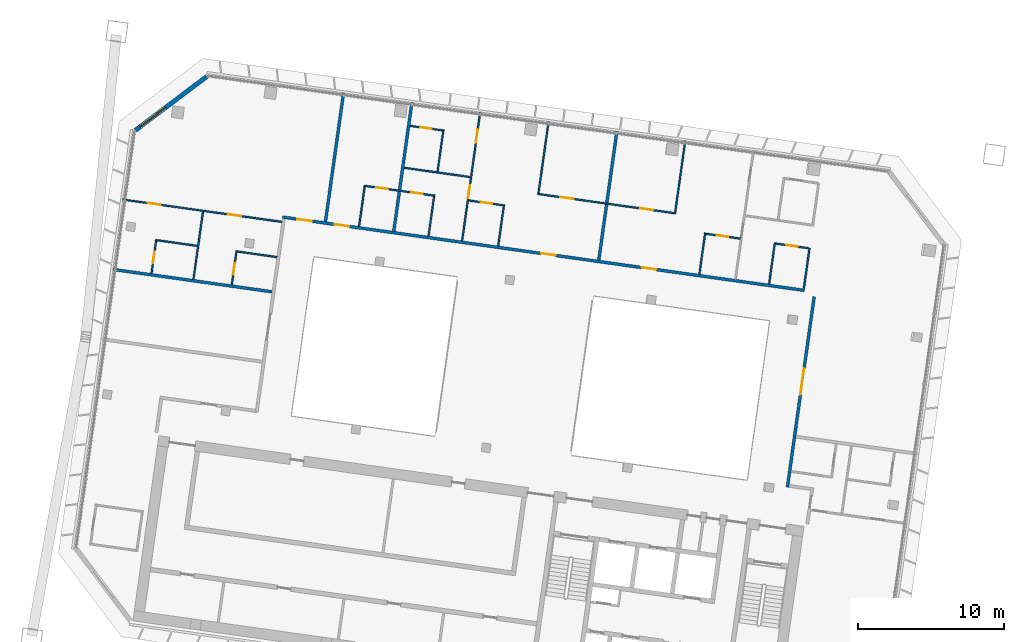
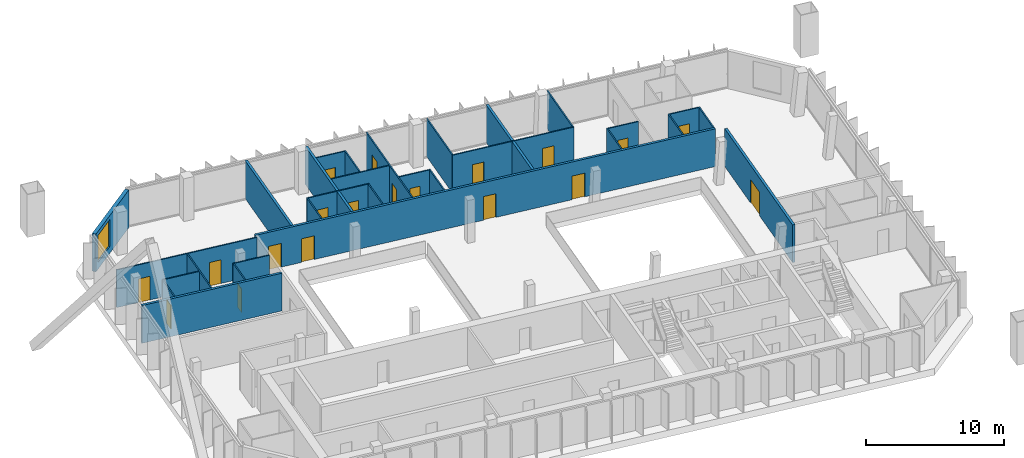
# One storey, part 15 of 23: 30 walls, 19 doors, 1 window, 20 openings.
"""IFC4 building model written with IfcOpenShell, lengths in metres."""

from ifc_helpers import new_model, si_unit, direction, frame, frame_2d, origin, place, context, subcontext, project, spatial, rectangle, extrude, material, layer, layer_set, type_object, element, fill, save


model = new_model("IFC4")

# Units and contexts
model_context = context("Model", 3, precision=1e-05, world=origin(), true_north=direction((0.0, 1.0)))
body_context = subcontext(model_context, "Body", "Model", "MODEL_VIEW")
ifc_project = project(units=[si_unit("LENGTHUNIT", "METRE"), si_unit("AREAUNIT", "SQUARE_METRE"), si_unit("VOLUMEUNIT", "CUBIC_METRE"), si_unit("PLANEANGLEUNIT", "RADIAN"), si_unit("MASSUNIT", "GRAM", prefix="KILO")], contexts=[model_context])

# Site, building, storey
site_placement = place(None, origin())
site = spatial("IfcSite", under=ifc_project, at=site_placement, CompositionType="ELEMENT")
building_placement = place(site_placement, origin())
building = spatial("IfcBuilding", under=site, at=building_placement, Name="Mirante Cascada Hotel Towers", CompositionType="ELEMENT")
storey_placement = place(building_placement, frame((0.0, 0.0, 195.4)))
storey = spatial("IfcBuildingStorey", under=building, at=storey_placement, Name="L46", CompositionType="ELEMENT", Elevation=195.4)

# Wall
ifc_material_1 = material(Name="Fire-rated plasterboard on metal studs")
ifc_layer_1 = layer(ifc_material_1, 0.2)
ifc_layer_set_1 = layer_set([ifc_layer_1], Name="Compartment wall 200 EI 120")
wall_type_1 = type_object("IfcWallType", Name="Compartment wall 200 EI 120", PredefinedType="PARTITIONING", material=ifc_layer_set_1)
wall_1_placement = place(storey_placement, frame((-71.9089, 8.7707, 0.0), z_axis=(0.0, 0.0, 1.0), x_axis=(-0.990268, 0.1391733, 0.0)))
element("IfcWall", 1, at=wall_1_placement, inside=storey, type_object=wall_type_1, Name="Wall 1-L46-11", PredefinedType="PARTITIONING", context=body_context, shape_type="SweptSolid", body=[
    extrude(rectangle(XDim=11.0, YDim=0.2, at=frame_2d((5.5, 0.0))), origin(), (0.0, 0.0, 1.0), 3.35),
])

# Wall, openings, doors
wall_2_placement = place(storey_placement, frame((-35.4697, 8.867, 0.0), z_axis=(0.0, 0.0, 1.0), x_axis=(-0.9902682, 0.1391722, 0.0)))
wall_2 = element("IfcWall", 2, at=wall_2_placement, inside=storey, type_object=wall_type_1, Name="Wall 1-L46-15", PredefinedType="PARTITIONING", context=body_context, shape_type="SweptSolid", body=[
    extrude(rectangle(XDim=36.0711, YDim=0.2, at=frame_2d((18.0356, 0.0))), origin(), (0.0, 0.0, 1.0), 3.35),
])
opening_1_placement = place(wall_2_placement, frame((10.2463, 0.0, 0.0)))
opening_1 = element("IfcOpeningElement", 3, at=opening_1_placement, cuts=wall_2, Name="Opening D1-L46-06", PredefinedType="OPENING", context=body_context, shape_type="SweptSolid", body=[
    extrude(rectangle(XDim=1.0, YDim=2.1, at=frame_2d((0.5, 1.05))), frame((0.0, 0.1, 0.0), z_axis=(0.0, -1.0, 0.0), x_axis=(1.0, 0.0, 0.0)), (0.0, 0.0, 1.0), 0.2),
])
opening_2_placement = place(wall_2_placement, frame((17.201, 0.0, 0.0)))
opening_2 = element("IfcOpeningElement", 4, at=opening_2_placement, cuts=wall_2, Name="Opening D1-L46-07", PredefinedType="OPENING", context=body_context, shape_type="SweptSolid", body=[
    extrude(rectangle(XDim=1.0, YDim=2.1, at=frame_2d((0.5, 1.05))), frame((0.0, 0.1, 0.0), z_axis=(0.0, -1.0, 0.0), x_axis=(1.0, 0.0, 0.0)), (0.0, 0.0, 1.0), 0.2),
])
opening_3_placement = place(wall_2_placement, frame((31.4597, 0.0, 0.0)))
opening_3 = element("IfcOpeningElement", 5, at=opening_3_placement, cuts=wall_2, Name="Opening D1-L46-08", PredefinedType="OPENING", context=body_context, shape_type="SweptSolid", body=[
    extrude(rectangle(XDim=1.0, YDim=2.1, at=frame_2d((0.5, 1.05))), frame((0.0, 0.1, 0.0), z_axis=(0.0, -1.0, 0.0), x_axis=(1.0, 0.0, 0.0)), (0.0, 0.0, 1.0), 0.2),
])
opening_4_placement = place(wall_2_placement, frame((34.0465, 0.0, 0.0)))
opening_4 = element("IfcOpeningElement", 6, at=opening_4_placement, cuts=wall_2, Name="Opening D1-L46-09", PredefinedType="OPENING", context=body_context, shape_type="SweptSolid", body=[
    extrude(rectangle(XDim=1.0, YDim=2.1, at=frame_2d((0.5, 1.05))), frame((0.0, 0.1, 0.0), z_axis=(0.0, -1.0, 0.0), x_axis=(1.0, 0.0, 0.0)), (0.0, 0.0, 1.0), 0.2),
])
ifc_material_2 = material(Name="Fire-rated timber door leaf", Category="wood")
door_type_1 = type_object("IfcDoorType", Name="Entrance door DG1 1000x2100 EI 60", OperationType="SINGLE_SWING_LEFT", PredefinedType="DOOR", material=ifc_material_2)
door_1_placement = place(opening_1_placement, frame((1.0, 0.0, 0.0), z_axis=(0.0, 0.0, 1.0), x_axis=(-1.0, 0.0, 0.0)))
door_1 = element("IfcDoor", 7, at=door_1_placement, inside=storey, type_object=door_type_1, Name="Door D1-L46-06", OperationType="SINGLE_SWING_RIGHT", OverallHeight=2.1, OverallWidth=1.0, PredefinedType="DOOR", context=body_context, shape_type="SweptSolid", body=[
    extrude(rectangle(XDim=1.0, YDim=2.1, at=frame_2d((0.5, 1.05))), frame((0.0, 0.025, 0.0), z_axis=(0.0, -1.0, 0.0), x_axis=(1.0, 0.0, 0.0)), (0.0, 0.0, 1.0), 0.05),
])
fill(opening_1, door_1)
door_2_placement = place(opening_2_placement, frame((1.0, 0.0, 0.0), z_axis=(0.0, 0.0, 1.0), x_axis=(-1.0, 0.0, 0.0)))
door_2 = element("IfcDoor", 8, at=door_2_placement, inside=storey, type_object=door_type_1, Name="Door D1-L46-07", OperationType="SINGLE_SWING_RIGHT", OverallHeight=2.1, OverallWidth=1.0, PredefinedType="DOOR", context=body_context, shape_type="SweptSolid", body=[
    extrude(rectangle(XDim=1.0, YDim=2.1, at=frame_2d((0.5, 1.05))), frame((0.0, 0.025, 0.0), z_axis=(0.0, -1.0, 0.0), x_axis=(1.0, 0.0, 0.0)), (0.0, 0.0, 1.0), 0.05),
])
fill(opening_2, door_2)
door_3_placement = place(opening_3_placement, frame((1.0, 0.0, 0.0), z_axis=(0.0, 0.0, 1.0), x_axis=(-1.0, 0.0, 0.0)))
door_3 = element("IfcDoor", 9, at=door_3_placement, inside=storey, type_object=door_type_1, Name="Door D1-L46-08", OperationType="SINGLE_SWING_RIGHT", OverallHeight=2.1, OverallWidth=1.0, PredefinedType="DOOR", context=body_context, shape_type="SweptSolid", body=[
    extrude(rectangle(XDim=1.0, YDim=2.1, at=frame_2d((0.5, 1.05))), frame((0.0, 0.025, 0.0), z_axis=(0.0, -1.0, 0.0), x_axis=(1.0, 0.0, 0.0)), (0.0, 0.0, 1.0), 0.05),
])
fill(opening_3, door_3)
door_4_placement = place(opening_4_placement, frame((1.0, 0.0, 0.0), z_axis=(0.0, 0.0, 1.0), x_axis=(-1.0, 0.0, 0.0)))
door_4 = element("IfcDoor", 10, at=door_4_placement, inside=storey, type_object=door_type_1, Name="Door D1-L46-09", OperationType="SINGLE_SWING_RIGHT", OverallHeight=2.1, OverallWidth=1.0, PredefinedType="DOOR", context=body_context, shape_type="SweptSolid", body=[
    extrude(rectangle(XDim=1.0, YDim=2.1, at=frame_2d((0.5, 1.05))), frame((0.0, 0.025, 0.0), z_axis=(0.0, -1.0, 0.0), x_axis=(1.0, 0.0, 0.0)), (0.0, 0.0, 1.0), 0.05),
])
fill(opening_4, door_4)

# Wall, opening, door
wall_3_placement = place(storey_placement, frame((-34.7943, 8.4355, 0.0), z_axis=(0.0, 0.0, 1.0), x_axis=(-0.1391764, -0.9902676, 0.0)))
wall_3 = element("IfcWall", 11, at=wall_3_placement, inside=storey, type_object=wall_type_1, Name="Wall 1-L46-30", PredefinedType="PARTITIONING", context=body_context, shape_type="SweptSolid", body=[
    extrude(rectangle(XDim=13.1667, YDim=0.2, at=frame_2d((6.5834, 0.0))), origin(), (0.0, 0.0, 1.0), 3.35),
])
opening_5_placement = place(wall_3_placement, frame((4.9667, 0.0, 0.0)))
opening_5 = element("IfcOpeningElement", 12, at=opening_5_placement, cuts=wall_3, Name="Opening D1-L46-23", PredefinedType="OPENING", context=body_context, shape_type="SweptSolid", body=[
    extrude(rectangle(XDim=1.8, YDim=2.1, at=frame_2d((0.9, 1.05))), frame((0.0, 0.1, 0.0), z_axis=(0.0, -1.0, 0.0), x_axis=(1.0, 0.0, 0.0)), (0.0, 0.0, 1.0), 0.2),
])
ifc_material_3 = material(Name="Fire-rated timber door leaf", Category="wood")
door_type_2 = type_object("IfcDoorType", Name="Suite double door DG2 1800x2100 EI 60", OperationType="DOUBLE_DOOR_SINGLE_SWING", PredefinedType="DOOR", material=ifc_material_3)
door_5_placement = place(opening_5_placement, origin())
door_5 = element("IfcDoor", 13, at=door_5_placement, inside=storey, type_object=door_type_2, Name="Door D1-L46-23", OperationType="DOUBLE_DOOR_SINGLE_SWING", OverallHeight=2.1, OverallWidth=1.8, PredefinedType="DOOR", context=body_context, shape_type="SweptSolid", body=[
    extrude(rectangle(XDim=0.895, YDim=2.1, at=frame_2d((0.4475, 1.05))), frame((0.0, 0.025, 0.0), z_axis=(0.0, -1.0, 0.0), x_axis=(1.0, 0.0, 0.0)), (0.0, 0.0, 1.0), 0.05),
    extrude(rectangle(XDim=0.895, YDim=2.1, at=frame_2d((1.3525, 1.05))), frame((0.0, 0.025, 0.0), z_axis=(0.0, -1.0, 0.0), x_axis=(1.0, 0.0, 0.0)), (0.0, 0.0, 1.0), 0.05),
])
fill(opening_5, door_5)

# Walls
for number, where, z_axis, x_axis, name in (
    (14, (-48.3025, 19.759, 0.0), (0.0, 0.0, 1.0), (-0.1391684, -0.9902687, 0.0), "Wall 1-L46-38"),
    (15, (-62.3382, 21.7316, 0.0), (0.0, 0.0, 1.0), (-0.1391794, -0.9902672, 0.0), "Wall 1-L46-44"),
    (16, (-67.0168, 22.3891, 0.0), (0.0, 0.0, 1.0), (-0.1391794, -0.9902672, 0.0), "Wall 1-L46-46"),
):
    element("IfcWall", number, at=place(storey_placement, frame(where, z_axis=z_axis, x_axis=x_axis)), inside=storey, type_object=wall_type_1, Name=name, PredefinedType="PARTITIONING", context=body_context, shape_type="SweptSolid", body=[
        extrude(rectangle(XDim=8.9, YDim=0.2, at=frame_2d((4.45, 0.0))), origin(), (0.0, 0.0, 1.0), 3.35),
    ])
ifc_material_4 = material(Name="Plasterboard on metal studs")
ifc_layer_2 = layer(ifc_material_4, 0.1)
ifc_layer_set_2 = layer_set([ifc_layer_2], Name="Partition 100")
wall_type_2 = type_object("IfcWallType", Name="Partition 100", PredefinedType="PARTITIONING", material=ifc_layer_set_2)
wall_4_placement = place(storey_placement, frame((-74.3971, 11.544, 0.0), z_axis=(0.0, 0.0, 1.0), x_axis=(0.9902656, -0.1391909, 0.0)))
element("IfcWall", 17, at=wall_4_placement, inside=storey, type_object=wall_type_2, Name="Wall 1-L46-12", PredefinedType="PARTITIONING", context=body_context, shape_type="SweptSolid", body=[
    extrude(rectangle(XDim=2.85, YDim=0.1, at=frame_2d((1.425, 0.0))), origin(), (0.0, 0.0, 1.0), 3.35),
])
wall_5_placement = place(storey_placement, frame((-77.0213, 11.9128, 0.0), z_axis=(0.0, 0.0, 1.0), x_axis=(-0.9902683, 0.1391714, 0.0)))
element("IfcWall", 18, at=wall_5_placement, inside=storey, type_object=wall_type_2, Name="Wall 1-L46-13", PredefinedType="PARTITIONING", context=body_context, shape_type="SweptSolid", body=[
    extrude(rectangle(XDim=2.9, YDim=0.1, at=frame_2d((1.45, 0.0))), origin(), (0.0, 0.0, 1.0), 3.35),
])

# Wall, openings, doors
wall_6_placement = place(storey_placement, frame((-82.1291, 15.088, 0.0), z_axis=(0.0, 0.0, 1.0), x_axis=(0.990268, -0.1391733, 0.0)))
wall_6 = element("IfcWall", 19, at=wall_6_placement, inside=storey, type_object=wall_type_2, Name="Wall 1-L46-14", PredefinedType="PARTITIONING", context=body_context, shape_type="SweptSolid", body=[
    extrude(rectangle(XDim=11.0, YDim=0.1, at=frame_2d((5.5, 0.0))), origin(), (0.0, 0.0, 1.0), 3.35),
])
opening_6_placement = place(wall_6_placement, frame((7.275, 0.0, 0.0)))
opening_6 = element("IfcOpeningElement", 20, at=opening_6_placement, cuts=wall_6, Name="Opening D1-L46-04", PredefinedType="OPENING", context=body_context, shape_type="SweptSolid", body=[
    extrude(rectangle(XDim=0.9, YDim=2.1, at=frame_2d((0.45, 1.05))), frame((0.0, 0.05, 0.0), z_axis=(0.0, -1.0, 0.0), x_axis=(1.0, 0.0, 0.0)), (0.0, 0.0, 1.0), 0.1),
])
opening_7_placement = place(wall_6_placement, frame((1.725, 0.0, 0.0)))
opening_7 = element("IfcOpeningElement", 21, at=opening_7_placement, cuts=wall_6, Name="Opening D1-L46-05", PredefinedType="OPENING", context=body_context, shape_type="SweptSolid", body=[
    extrude(rectangle(XDim=0.9, YDim=2.1, at=frame_2d((0.45, 1.05))), frame((0.0, 0.05, 0.0), z_axis=(0.0, -1.0, 0.0), x_axis=(1.0, 0.0, 0.0)), (0.0, 0.0, 1.0), 0.1),
])
ifc_material_5 = material(Name="Timber door leaf", Category="wood")
door_type_3 = type_object("IfcDoorType", Name="Room door DG3 900x2100", OperationType="SINGLE_SWING_LEFT", PredefinedType="DOOR", material=ifc_material_5)
door_6_placement = place(opening_6_placement, origin())
door_6 = element("IfcDoor", 22, at=door_6_placement, inside=storey, type_object=door_type_3, Name="Door D1-L46-04", OperationType="SINGLE_SWING_LEFT", OverallHeight=2.1, OverallWidth=0.9, PredefinedType="DOOR", context=body_context, shape_type="SweptSolid", body=[
    extrude(rectangle(XDim=0.9, YDim=2.1, at=frame_2d((0.45, 1.05))), frame((0.0, 0.025, 0.0), z_axis=(0.0, -1.0, 0.0), x_axis=(1.0, 0.0, 0.0)), (0.0, 0.0, 1.0), 0.05),
])
fill(opening_6, door_6)
door_7_placement = place(opening_7_placement, origin())
door_7 = element("IfcDoor", 23, at=door_7_placement, inside=storey, type_object=door_type_3, Name="Door D1-L46-05", OperationType="SINGLE_SWING_LEFT", OverallHeight=2.1, OverallWidth=0.9, PredefinedType="DOOR", context=body_context, shape_type="SweptSolid", body=[
    extrude(rectangle(XDim=0.9, YDim=2.1, at=frame_2d((0.45, 1.05))), frame((0.0, 0.025, 0.0), z_axis=(0.0, -1.0, 0.0), x_axis=(1.0, 0.0, 0.0)), (0.0, 0.0, 1.0), 0.05),
])
fill(opening_7, door_7)

# Wall, opening, door
wall_7_placement = place(storey_placement, frame((-37.4428, 12.0728, 0.0), z_axis=(0.0, 0.0, 1.0), x_axis=(0.9902678, -0.1391749, 0.0)))
wall_7 = element("IfcWall", 24, at=wall_7_placement, inside=storey, type_object=wall_type_2, Name="Wall 1-L46-16", PredefinedType="PARTITIONING", context=body_context, shape_type="SweptSolid", body=[
    extrude(rectangle(XDim=2.3, YDim=0.1, at=frame_2d((1.15, 0.0))), origin(), (0.0, 0.0, 1.0), 3.35),
])
opening_8_placement = place(wall_7_placement, frame((0.75, 0.0, 0.0)))
opening_8 = element("IfcOpeningElement", 25, at=opening_8_placement, cuts=wall_7, Name="Opening D1-L46-10", PredefinedType="OPENING", context=body_context, shape_type="SweptSolid", body=[
    extrude(rectangle(XDim=0.8, YDim=2.1, at=frame_2d((0.4, 1.05))), frame((0.0, 0.05, 0.0), z_axis=(0.0, -1.0, 0.0), x_axis=(1.0, 0.0, 0.0)), (0.0, 0.0, 1.0), 0.1),
])
ifc_material_6 = material(Name="Timber door leaf", Category="wood")
door_type_4 = type_object("IfcDoorType", Name="Bathroom door DG4 800x2100", OperationType="SINGLE_SWING_LEFT", PredefinedType="DOOR", material=ifc_material_6)
door_8_placement = place(opening_8_placement, frame((0.8, 0.0, 0.0), z_axis=(0.0, 0.0, 1.0), x_axis=(-1.0, 0.0, 0.0)))
door_8 = element("IfcDoor", 26, at=door_8_placement, inside=storey, type_object=door_type_4, Name="Door D1-L46-10", OperationType="SINGLE_SWING_RIGHT", OverallHeight=2.1, OverallWidth=0.8, PredefinedType="DOOR", context=body_context, shape_type="SweptSolid", body=[
    extrude(rectangle(XDim=0.8, YDim=2.1, at=frame_2d((0.4, 1.05))), frame((0.0, 0.025, 0.0), z_axis=(0.0, -1.0, 0.0), x_axis=(1.0, 0.0, 0.0)), (0.0, 0.0, 1.0), 0.05),
])
fill(opening_8, door_8)

wall_8_placement = place(storey_placement, frame((-39.8437, 12.4102, 0.0), z_axis=(0.0, 0.0, 1.0), x_axis=(-0.9902652, 0.1391934, 0.0)))
wall_8 = element("IfcWall", 27, at=wall_8_placement, inside=storey, type_object=wall_type_2, Name="Wall 1-L46-17", PredefinedType="PARTITIONING", context=body_context, shape_type="SweptSolid", body=[
    extrude(rectangle(XDim=2.3945, YDim=0.1, at=frame_2d((1.1972, 0.0))), origin(), (0.0, 0.0, 1.0), 3.35),
])
opening_9_placement = place(wall_8_placement, frame((0.8445, 0.0, 0.0)))
opening_9 = element("IfcOpeningElement", 28, at=opening_9_placement, cuts=wall_8, Name="Opening D1-L46-11", PredefinedType="OPENING", context=body_context, shape_type="SweptSolid", body=[
    extrude(rectangle(XDim=0.8, YDim=2.1, at=frame_2d((0.4, 1.05))), frame((0.0, 0.05, 0.0), z_axis=(0.0, -1.0, 0.0), x_axis=(1.0, 0.0, 0.0)), (0.0, 0.0, 1.0), 0.1),
])
door_9_placement = place(opening_9_placement, frame((0.8, 0.0, 0.0), z_axis=(0.0, 0.0, 1.0), x_axis=(-1.0, 0.0, 0.0)))
door_9 = element("IfcDoor", 29, at=door_9_placement, inside=storey, type_object=door_type_4, Name="Door D1-L46-11", OperationType="SINGLE_SWING_RIGHT", OverallHeight=2.1, OverallWidth=0.8, PredefinedType="DOOR", context=body_context, shape_type="SweptSolid", body=[
    extrude(rectangle(XDim=0.8, YDim=2.1, at=frame_2d((0.4, 1.05))), frame((0.0, 0.025, 0.0), z_axis=(0.0, -1.0, 0.0), x_axis=(1.0, 0.0, 0.0)), (0.0, 0.0, 1.0), 0.05),
])
fill(opening_9, door_9)

wall_9_placement = place(storey_placement, frame((-58.459, 15.0264, 0.0), z_axis=(0.0, 0.0, 1.0), x_axis=(0.990271, -0.1391524, 0.0)))
wall_9 = element("IfcWall", 30, at=wall_9_placement, inside=storey, type_object=wall_type_2, Name="Wall 1-L46-18", PredefinedType="PARTITIONING", context=body_context, shape_type="SweptSolid", body=[
    extrude(rectangle(XDim=2.3945, YDim=0.1, at=frame_2d((1.1972, 0.0))), origin(), (0.0, 0.0, 1.0), 3.35),
])
opening_10_placement = place(wall_9_placement, frame((0.8445, 0.0, 0.0)))
opening_10 = element("IfcOpeningElement", 31, at=opening_10_placement, cuts=wall_9, Name="Opening D1-L46-12", PredefinedType="OPENING", context=body_context, shape_type="SweptSolid", body=[
    extrude(rectangle(XDim=0.8, YDim=2.1, at=frame_2d((0.4, 1.05))), frame((0.0, 0.05, 0.0), z_axis=(0.0, -1.0, 0.0), x_axis=(1.0, 0.0, 0.0)), (0.0, 0.0, 1.0), 0.1),
])
door_10_placement = place(opening_10_placement, origin())
door_10 = element("IfcDoor", 32, at=door_10_placement, inside=storey, type_object=door_type_4, Name="Door D1-L46-12", OperationType="SINGLE_SWING_LEFT", OverallHeight=2.1, OverallWidth=0.8, PredefinedType="DOOR", context=body_context, shape_type="SweptSolid", body=[
    extrude(rectangle(XDim=0.8, YDim=2.1, at=frame_2d((0.4, 1.05))), frame((0.0, 0.025, 0.0), z_axis=(0.0, -1.0, 0.0), x_axis=(1.0, 0.0, 0.0)), (0.0, 0.0, 1.0), 0.05),
])
fill(opening_10, door_10)

# Wall, openings, doors
wall_10_placement = place(storey_placement, frame((-60.761, 15.35, 0.0), z_axis=(0.0, 0.0, 1.0), x_axis=(-0.9902694, 0.1391638, 0.0)))
wall_10 = element("IfcWall", 33, at=wall_10_placement, inside=storey, type_object=wall_type_2, Name="Wall 1-L46-19", PredefinedType="PARTITIONING", context=body_context, shape_type="SweptSolid", body=[
    extrude(rectangle(XDim=4.9, YDim=0.1, at=frame_2d((2.45, 0.0))), origin(), (0.0, 0.0, 1.0), 3.35),
])
opening_11_placement = place(wall_10_placement, frame((0.85, 0.0, 0.0)))
opening_11 = element("IfcOpeningElement", 34, at=opening_11_placement, cuts=wall_10, Name="Opening D1-L46-13", PredefinedType="OPENING", context=body_context, shape_type="SweptSolid", body=[
    extrude(rectangle(XDim=0.8, YDim=2.1, at=frame_2d((0.4, 1.05))), frame((0.0, 0.05, 0.0), z_axis=(0.0, -1.0, 0.0), x_axis=(1.0, 0.0, 0.0)), (0.0, 0.0, 1.0), 0.1),
])
opening_12_placement = place(wall_10_placement, frame((3.25, 0.0, 0.0)))
opening_12 = element("IfcOpeningElement", 35, at=opening_12_placement, cuts=wall_10, Name="Opening D1-L46-14", PredefinedType="OPENING", context=body_context, shape_type="SweptSolid", body=[
    extrude(rectangle(XDim=0.8, YDim=2.1, at=frame_2d((0.4, 1.05))), frame((0.0, 0.05, 0.0), z_axis=(0.0, -1.0, 0.0), x_axis=(1.0, 0.0, 0.0)), (0.0, 0.0, 1.0), 0.1),
])
door_11_placement = place(opening_11_placement, origin())
door_11 = element("IfcDoor", 36, at=door_11_placement, inside=storey, type_object=door_type_4, Name="Door D1-L46-13", OperationType="SINGLE_SWING_LEFT", OverallHeight=2.1, OverallWidth=0.8, PredefinedType="DOOR", context=body_context, shape_type="SweptSolid", body=[
    extrude(rectangle(XDim=0.8, YDim=2.1, at=frame_2d((0.4, 1.05))), frame((0.0, 0.025, 0.0), z_axis=(0.0, -1.0, 0.0), x_axis=(1.0, 0.0, 0.0)), (0.0, 0.0, 1.0), 0.05),
])
fill(opening_11, door_11)
door_12_placement = place(opening_12_placement, frame((0.8, 0.0, 0.0), z_axis=(0.0, 0.0, 1.0), x_axis=(-1.0, 0.0, 0.0)))
door_12 = element("IfcDoor", 37, at=door_12_placement, inside=storey, type_object=door_type_4, Name="Door D1-L46-14", OperationType="SINGLE_SWING_RIGHT", OverallHeight=2.1, OverallWidth=0.8, PredefinedType="DOOR", context=body_context, shape_type="SweptSolid", body=[
    extrude(rectangle(XDim=0.8, YDim=2.1, at=frame_2d((0.4, 1.05))), frame((0.0, 0.025, 0.0), z_axis=(0.0, -1.0, 0.0), x_axis=(1.0, 0.0, 0.0)), (0.0, 0.0, 1.0), 0.05),
])
fill(opening_12, door_12)

wall_11_placement = place(storey_placement, frame((-53.7264, 15.4721, 0.0), z_axis=(0.0, 0.0, 1.0), x_axis=(0.9902678, -0.1391749, 0.0)))
wall_11 = element("IfcWall", 38, at=wall_11_placement, inside=storey, type_object=wall_type_2, Name="Wall 1-L46-20", PredefinedType="PARTITIONING", context=body_context, shape_type="SweptSolid", body=[
    extrude(rectangle(XDim=9.5491, YDim=0.1, at=frame_2d((4.7745, 0.0))), origin(), (0.0, 0.0, 1.0), 3.35),
])
opening_13_placement = place(wall_11_placement, frame((7.0745, 0.0, 0.0)))
opening_13 = element("IfcOpeningElement", 39, at=opening_13_placement, cuts=wall_11, Name="Opening D1-L46-15", PredefinedType="OPENING", context=body_context, shape_type="SweptSolid", body=[
    extrude(rectangle(XDim=0.9, YDim=2.1, at=frame_2d((0.45, 1.05))), frame((0.0, 0.05, 0.0), z_axis=(0.0, -1.0, 0.0), x_axis=(1.0, 0.0, 0.0)), (0.0, 0.0, 1.0), 0.1),
])
opening_14_placement = place(wall_11_placement, frame((1.5745, 0.0, 0.0)))
opening_14 = element("IfcOpeningElement", 40, at=opening_14_placement, cuts=wall_11, Name="Opening D1-L46-16", PredefinedType="OPENING", context=body_context, shape_type="SweptSolid", body=[
    extrude(rectangle(XDim=0.9, YDim=2.1, at=frame_2d((0.45, 1.05))), frame((0.0, 0.05, 0.0), z_axis=(0.0, -1.0, 0.0), x_axis=(1.0, 0.0, 0.0)), (0.0, 0.0, 1.0), 0.1),
])
door_13_placement = place(opening_13_placement, origin())
door_13 = element("IfcDoor", 41, at=door_13_placement, inside=storey, type_object=door_type_3, Name="Door D1-L46-15", OperationType="SINGLE_SWING_LEFT", OverallHeight=2.1, OverallWidth=0.9, PredefinedType="DOOR", context=body_context, shape_type="SweptSolid", body=[
    extrude(rectangle(XDim=0.9, YDim=2.1, at=frame_2d((0.45, 1.05))), frame((0.0, 0.025, 0.0), z_axis=(0.0, -1.0, 0.0), x_axis=(1.0, 0.0, 0.0)), (0.0, 0.0, 1.0), 0.05),
])
fill(opening_13, door_13)
door_14_placement = place(opening_14_placement, origin())
door_14 = element("IfcDoor", 42, at=door_14_placement, inside=storey, type_object=door_type_3, Name="Door D1-L46-16", OperationType="SINGLE_SWING_LEFT", OverallHeight=2.1, OverallWidth=0.9, PredefinedType="DOOR", context=body_context, shape_type="SweptSolid", body=[
    extrude(rectangle(XDim=0.9, YDim=2.1, at=frame_2d((0.45, 1.05))), frame((0.0, 0.025, 0.0), z_axis=(0.0, -1.0, 0.0), x_axis=(1.0, 0.0, 0.0)), (0.0, 0.0, 1.0), 0.05),
])
fill(opening_14, door_14)

# Wall
wall_12_placement = place(storey_placement, frame((-62.8655, 17.2614, 0.0), z_axis=(0.0, 0.0, 1.0), x_axis=(0.99027, -0.1391594, 0.0)))
element("IfcWall", 43, at=wall_12_placement, inside=storey, type_object=wall_type_2, Name="Wall 1-L46-22", PredefinedType="PARTITIONING", context=body_context, shape_type="SweptSolid", body=[
    extrude(rectangle(XDim=4.5746, YDim=0.1, at=frame_2d((2.2873, 0.0))), origin(), (0.0, 0.0, 1.0), 3.35),
])

# Wall, opening, door
wall_13_placement = place(storey_placement, frame((-62.4619, 20.1332, 0.0), z_axis=(0.0, 0.0, 1.0), x_axis=(0.9902705, -0.1391561, 0.0)))
wall_13 = element("IfcWall", 44, at=wall_13_placement, inside=storey, type_object=wall_type_2, Name="Wall 1-L46-24", PredefinedType="PARTITIONING", context=body_context, shape_type="SweptSolid", body=[
    extrude(rectangle(XDim=2.25, YDim=0.1, at=frame_2d((1.125, 0.0))), origin(), (0.0, 0.0, 1.0), 3.35),
])
opening_15_placement = place(wall_13_placement, frame((0.7, 0.0, 0.0)))
opening_15 = element("IfcOpeningElement", 45, at=opening_15_placement, cuts=wall_13, Name="Opening D1-L46-18", PredefinedType="OPENING", context=body_context, shape_type="SweptSolid", body=[
    extrude(rectangle(XDim=0.8, YDim=2.1, at=frame_2d((0.4, 1.05))), frame((0.0, 0.05, 0.0), z_axis=(0.0, -1.0, 0.0), x_axis=(1.0, 0.0, 0.0)), (0.0, 0.0, 1.0), 0.1),
])
door_15_placement = place(opening_15_placement, frame((0.8, 0.0, 0.0), z_axis=(0.0, 0.0, 1.0), x_axis=(-1.0, 0.0, 0.0)))
door_15 = element("IfcDoor", 46, at=door_15_placement, inside=storey, type_object=door_type_4, Name="Door D1-L46-18", OperationType="SINGLE_SWING_RIGHT", OverallHeight=2.1, OverallWidth=0.8, PredefinedType="DOOR", context=body_context, shape_type="SweptSolid", body=[
    extrude(rectangle(XDim=0.8, YDim=2.1, at=frame_2d((0.4, 1.05))), frame((0.0, 0.025, 0.0), z_axis=(0.0, -1.0, 0.0), x_axis=(1.0, 0.0, 0.0)), (0.0, 0.0, 1.0), 0.05),
])
fill(opening_15, door_15)

# Walls
wall_14_placement = place(storey_placement, frame((-35.5012, 9.0027, 0.0), z_axis=(0.0, 0.0, 1.0), x_axis=(0.1391779, 0.9902674, 0.0)))
element("IfcWall", 47, at=wall_14_placement, inside=storey, type_object=wall_type_2, Name="Wall 1-L46-31", PredefinedType="PARTITIONING", context=body_context, shape_type="SweptSolid", body=[
    extrude(rectangle(XDim=2.79, YDim=0.1, at=frame_2d((1.395, 0.0))), origin(), (0.0, 0.0, 1.0), 3.35),
])
wall_15_placement = place(storey_placement, frame((-37.882, 9.307, 0.0), z_axis=(0.0, 0.0, 1.0), x_axis=(0.1391909, 0.9902656, 0.0)))
element("IfcWall", 48, at=wall_15_placement, inside=storey, type_object=wall_type_2, Name="Wall 1-L46-33", PredefinedType="PARTITIONING", context=body_context, shape_type="SweptSolid", body=[
    extrude(rectangle(XDim=2.85, YDim=0.1, at=frame_2d((1.425, 0.0))), origin(), (0.0, 0.0, 1.0), 3.35),
])
wall_16_placement = place(storey_placement, frame((-42.2574, 12.7999, 0.0), z_axis=(0.0, 0.0, 1.0), x_axis=(-0.1391957, -0.9902649, 0.0)))
element("IfcWall", 49, at=wall_16_placement, inside=storey, type_object=wall_type_2, Name="Wall 1-L46-36", PredefinedType="PARTITIONING", context=body_context, shape_type="SweptSolid", body=[
    extrude(rectangle(XDim=2.8499, YDim=0.1, at=frame_2d((1.425, 0.0))), origin(), (0.0, 0.0, 1.0), 3.35),
])
for number, where, z_axis, x_axis, name in (
    (50, (-44.3127, 14.1996, 0.0), (0.0, 0.0, 1.0), (0.1391725, 0.9902682, 0.0), "Wall 1-L46-37"),
    (51, (-53.6699, 15.5147, 0.0), (0.0, 0.0, 1.0), (0.1391725, 0.9902682, 0.0), "Wall 1-L46-39"),
):
    element("IfcWall", number, at=place(storey_placement, frame(where, z_axis=z_axis, x_axis=x_axis)), inside=storey, type_object=wall_type_2, Name=name, PredefinedType="PARTITIONING", context=body_context, shape_type="SweptSolid", body=[
        extrude(rectangle(XDim=4.95, YDim=0.1, at=frame_2d((2.475, 0.0))), origin(), (0.0, 0.0, 1.0), 3.35),
    ])
wall_17_placement = place(storey_placement, frame((-56.0314, 14.7357, 0.0), z_axis=(0.0, 0.0, 1.0), x_axis=(-0.1391613, -0.9902697, 0.0)))
element("IfcWall", 52, at=wall_17_placement, inside=storey, type_object=wall_type_2, Name="Wall 1-L46-40", PredefinedType="PARTITIONING", context=body_context, shape_type="SweptSolid", body=[
    extrude(rectangle(XDim=2.8499, YDim=0.1, at=frame_2d((1.425, 0.0))), origin(), (0.0, 0.0, 1.0), 3.35),
])

# Wall, openings, doors
wall_18_placement = place(storey_placement, frame((-58.8982, 12.2606, 0.0), z_axis=(0.0, 0.0, 1.0), x_axis=(0.1391684, 0.9902687, 0.0)))
wall_18 = element("IfcWall", 53, at=wall_18_placement, inside=storey, type_object=wall_type_2, Name="Wall 1-L46-41", PredefinedType="PARTITIONING", context=body_context, shape_type="SweptSolid", body=[
    extrude(rectangle(XDim=8.9, YDim=0.1, at=frame_2d((4.45, 0.0))), origin(), (0.0, 0.0, 1.0), 3.35),
])
opening_16_placement = place(wall_18_placement, frame((2.95, 0.0, 0.0)))
opening_16 = element("IfcOpeningElement", 54, at=opening_16_placement, cuts=wall_18, Name="Opening D1-L46-26", PredefinedType="OPENING", context=body_context, shape_type="SweptSolid", body=[
    extrude(rectangle(XDim=0.9, YDim=2.1, at=frame_2d((0.45, 1.05))), frame((0.0, 0.05, 0.0), z_axis=(0.0, -1.0, 0.0), x_axis=(1.0, 0.0, 0.0)), (0.0, 0.0, 1.0), 0.1),
])
opening_17_placement = place(wall_18_placement, frame((6.8, 0.0, 0.0)))
opening_17 = element("IfcOpeningElement", 55, at=opening_17_placement, cuts=wall_18, Name="Opening D1-L46-27", PredefinedType="OPENING", context=body_context, shape_type="SweptSolid", body=[
    extrude(rectangle(XDim=0.9, YDim=2.1, at=frame_2d((0.45, 1.05))), frame((0.0, 0.05, 0.0), z_axis=(0.0, -1.0, 0.0), x_axis=(1.0, 0.0, 0.0)), (0.0, 0.0, 1.0), 0.1),
])
door_16_placement = place(opening_16_placement, frame((0.9, 0.0, 0.0), z_axis=(0.0, 0.0, 1.0), x_axis=(-1.0, 0.0, 0.0)))
door_16 = element("IfcDoor", 56, at=door_16_placement, inside=storey, type_object=door_type_3, Name="Door D1-L46-26", OperationType="SINGLE_SWING_RIGHT", OverallHeight=2.1, OverallWidth=0.9, PredefinedType="DOOR", context=body_context, shape_type="SweptSolid", body=[
    extrude(rectangle(XDim=0.9, YDim=2.1, at=frame_2d((0.45, 1.05))), frame((0.0, 0.025, 0.0), z_axis=(0.0, -1.0, 0.0), x_axis=(1.0, 0.0, 0.0)), (0.0, 0.0, 1.0), 0.05),
])
fill(opening_16, door_16)
door_17_placement = place(opening_17_placement, frame((0.9, 0.0, 0.0), z_axis=(0.0, 0.0, 1.0), x_axis=(-1.0, 0.0, 0.0)))
door_17 = element("IfcDoor", 57, at=door_17_placement, inside=storey, type_object=door_type_3, Name="Door D1-L46-27", OperationType="SINGLE_SWING_RIGHT", OverallHeight=2.1, OverallWidth=0.9, PredefinedType="DOOR", context=body_context, shape_type="SweptSolid", body=[
    extrude(rectangle(XDim=0.9, YDim=2.1, at=frame_2d((0.45, 1.05))), frame((0.0, 0.025, 0.0), z_axis=(0.0, -1.0, 0.0), x_axis=(1.0, 0.0, 0.0)), (0.0, 0.0, 1.0), 0.05),
])
fill(opening_17, door_17)

# Walls
wall_19_placement = place(storey_placement, frame((-60.8175, 15.3074, 0.0), z_axis=(0.0, 0.0, 1.0), x_axis=(-0.1391657, -0.9902691, 0.0)))
element("IfcWall", 58, at=wall_19_placement, inside=storey, type_object=wall_type_2, Name="Wall 1-L46-42", PredefinedType="PARTITIONING", context=body_context, shape_type="SweptSolid", body=[
    extrude(rectangle(XDim=2.75, YDim=0.1, at=frame_2d((1.375, 0.0))), origin(), (0.0, 0.0, 1.0), 3.35),
])
wall_20_placement = place(storey_placement, frame((-60.5809, 16.9909, 0.0), z_axis=(0.0, 0.0, 1.0), x_axis=(0.1391761, 0.9902676, 0.0)))
element("IfcWall", 59, at=wall_20_placement, inside=storey, type_object=wall_type_2, Name="Wall 1-L46-43", PredefinedType="PARTITIONING", context=body_context, shape_type="SweptSolid", body=[
    extrude(rectangle(XDim=2.8999, YDim=0.1, at=frame_2d((1.45, 0.0))), origin(), (0.0, 0.0, 1.0), 3.35),
])
wall_21_placement = place(storey_placement, frame((-65.9535, 13.2522, 0.0), z_axis=(0.0, 0.0, 1.0), x_axis=(0.1391657, 0.9902691, 0.0)))
element("IfcWall", 60, at=wall_21_placement, inside=storey, type_object=wall_type_2, Name="Wall 1-L46-45", PredefinedType="PARTITIONING", context=body_context, shape_type="SweptSolid", body=[
    extrude(rectangle(XDim=2.75, YDim=0.1, at=frame_2d((1.375, 0.0))), origin(), (0.0, 0.0, 1.0), 3.35),
])

# Wall, opening, door
wall_22_placement = place(storey_placement, frame((-74.3546, 11.4875, 0.0), z_axis=(0.0, 0.0, 1.0), x_axis=(-0.1391561, -0.9902705, 0.0)))
wall_22 = element("IfcWall", 61, at=wall_22_placement, inside=storey, type_object=wall_type_2, Name="Wall 1-L46-48", PredefinedType="PARTITIONING", context=body_context, shape_type="SweptSolid", body=[
    extrude(rectangle(XDim=2.25, YDim=0.1, at=frame_2d((1.125, 0.0))), origin(), (0.0, 0.0, 1.0), 3.35),
])
opening_18_placement = place(wall_22_placement, frame((0.75, 0.0, 0.0)))
opening_18 = element("IfcOpeningElement", 62, at=opening_18_placement, cuts=wall_22, Name="Opening D1-L46-29", PredefinedType="OPENING", context=body_context, shape_type="SweptSolid", body=[
    extrude(rectangle(XDim=0.8, YDim=2.1, at=frame_2d((0.4, 1.05))), frame((0.0, 0.05, 0.0), z_axis=(0.0, -1.0, 0.0), x_axis=(1.0, 0.0, 0.0)), (0.0, 0.0, 1.0), 0.1),
])
door_18_placement = place(opening_18_placement, origin())
door_18 = element("IfcDoor", 63, at=door_18_placement, inside=storey, type_object=door_type_4, Name="Door D1-L46-29", OperationType="SINGLE_SWING_LEFT", OverallHeight=2.1, OverallWidth=0.8, PredefinedType="DOOR", context=body_context, shape_type="SweptSolid", body=[
    extrude(rectangle(XDim=0.8, YDim=2.1, at=frame_2d((0.4, 1.05))), frame((0.0, 0.025, 0.0), z_axis=(0.0, -1.0, 0.0), x_axis=(1.0, 0.0, 0.0)), (0.0, 0.0, 1.0), 0.05),
])
fill(opening_18, door_18)

# Wall
wall_23_placement = place(storey_placement, frame((-77.2919, 9.6282, 0.0), z_axis=(0.0, 0.0, 1.0), x_axis=(0.139173, 0.9902681, 0.0)))
element("IfcWall", 64, at=wall_23_placement, inside=storey, type_object=wall_type_2, Name="Wall 1-L46-49", PredefinedType="PARTITIONING", context=body_context, shape_type="SweptSolid", body=[
    extrude(rectangle(XDim=4.6834, YDim=0.1, at=frame_2d((2.3417, 0.0))), origin(), (0.0, 0.0, 1.0), 3.35),
])

# Wall, opening, door
wall_24_placement = place(storey_placement, frame((-79.8505, 12.2599, 0.0), z_axis=(0.0, 0.0, 1.0), x_axis=(-0.1391997, -0.9902643, 0.0)))
wall_24 = element("IfcWall", 65, at=wall_24_placement, inside=storey, type_object=wall_type_2, Name="Wall 1-L46-52", PredefinedType="PARTITIONING", context=body_context, shape_type="SweptSolid", body=[
    extrude(rectangle(XDim=2.25, YDim=0.1, at=frame_2d((1.125, 0.0))), origin(), (0.0, 0.0, 1.0), 3.35),
])
opening_19_placement = place(wall_24_placement, frame((0.75, 0.0, 0.0)))
opening_19 = element("IfcOpeningElement", 66, at=opening_19_placement, cuts=wall_24, Name="Opening D1-L46-30", PredefinedType="OPENING", context=body_context, shape_type="SweptSolid", body=[
    extrude(rectangle(XDim=0.8, YDim=2.1, at=frame_2d((0.4, 1.05))), frame((0.0, 0.05, 0.0), z_axis=(0.0, -1.0, 0.0), x_axis=(1.0, 0.0, 0.0)), (0.0, 0.0, 1.0), 0.1),
])
door_19_placement = place(opening_19_placement, origin())
door_19 = element("IfcDoor", 67, at=door_19_placement, inside=storey, type_object=door_type_4, Name="Door D1-L46-30", OperationType="SINGLE_SWING_LEFT", OverallHeight=2.1, OverallWidth=0.8, PredefinedType="DOOR", context=body_context, shape_type="SweptSolid", body=[
    extrude(rectangle(XDim=0.8, YDim=2.1, at=frame_2d((0.4, 1.05))), frame((0.0, 0.025, 0.0), z_axis=(0.0, -1.0, 0.0), x_axis=(1.0, 0.0, 0.0)), (0.0, 0.0, 1.0), 0.05),
])
fill(opening_19, door_19)

# Wall, opening, window
ifc_material_7 = material(Name="Precast concrete C40/50", Category="concrete")
ifc_layer_3 = layer(ifc_material_7, 0.3)
ifc_layer_set_3 = layer_set([ifc_layer_3], Name="Precast concrete C40/50 cladding wall 300")
wall_type_3 = type_object("IfcWallType", Name="Precast concrete C40/50 cladding wall 300", PredefinedType="STANDARD", material=ifc_layer_set_3)
wall_25_placement = place(storey_placement, frame((-81.2671, 19.8291, 0.0), z_axis=(0.0, 0.0, 1.0), x_axis=(0.7986343, 0.6018167, 0.0)))
wall_25 = element("IfcWall", 68, at=wall_25_placement, inside=storey, type_object=wall_type_3, Name="Corner cladding wall T1 L46 outer front", PredefinedType="STANDARD", context=body_context, shape_type="SweptSolid", body=[
    extrude(rectangle(XDim=6.1158, YDim=0.3, at=frame_2d((3.0579, 0.0))), origin(), (0.0, 0.0, 1.0), 3.35),
])
opening_20_placement = place(wall_25_placement, frame((0.3914, 0.0, 0.6)))
opening_20 = element("IfcOpeningElement", 69, at=opening_20_placement, cuts=wall_25, Name="Opening W1-46-02", PredefinedType="OPENING", context=body_context, shape_type="SweptSolid", body=[
    extrude(rectangle(XDim=2.2, YDim=2.4, at=frame_2d((1.1, 1.2))), frame((0.0, 0.15, 0.0), z_axis=(0.0, -1.0, 0.0), x_axis=(1.0, 0.0, 0.0)), (0.0, 0.0, 1.0), 0.3),
])
ifc_material_8 = material(Name="Aluminium frame with clear double glazing", Category="aluminium")
window_type = type_object("IfcWindowType", Name="Corner suite window 2200x2400", PartitioningType="DOUBLE_PANEL_VERTICAL", PredefinedType="WINDOW", material=ifc_material_8)
window_placement = place(opening_20_placement, origin())
window = element("IfcWindow", 70, at=window_placement, inside=storey, type_object=window_type, Name="Window W1-46-02", OverallHeight=2.4, OverallWidth=2.2, PartitioningType="SINGLE_PANEL", PredefinedType="WINDOW", context=body_context, shape_type="SweptSolid", body=[
    extrude(rectangle(XDim=2.2, YDim=2.4, at=frame_2d((1.1, 1.2))), frame((0.0, 0.03, 0.0), z_axis=(0.0, -1.0, 0.0), x_axis=(1.0, 0.0, 0.0)), (0.0, 0.0, 1.0), 0.06),
])
fill(opening_20, window)

save(model, "model.ifc")
